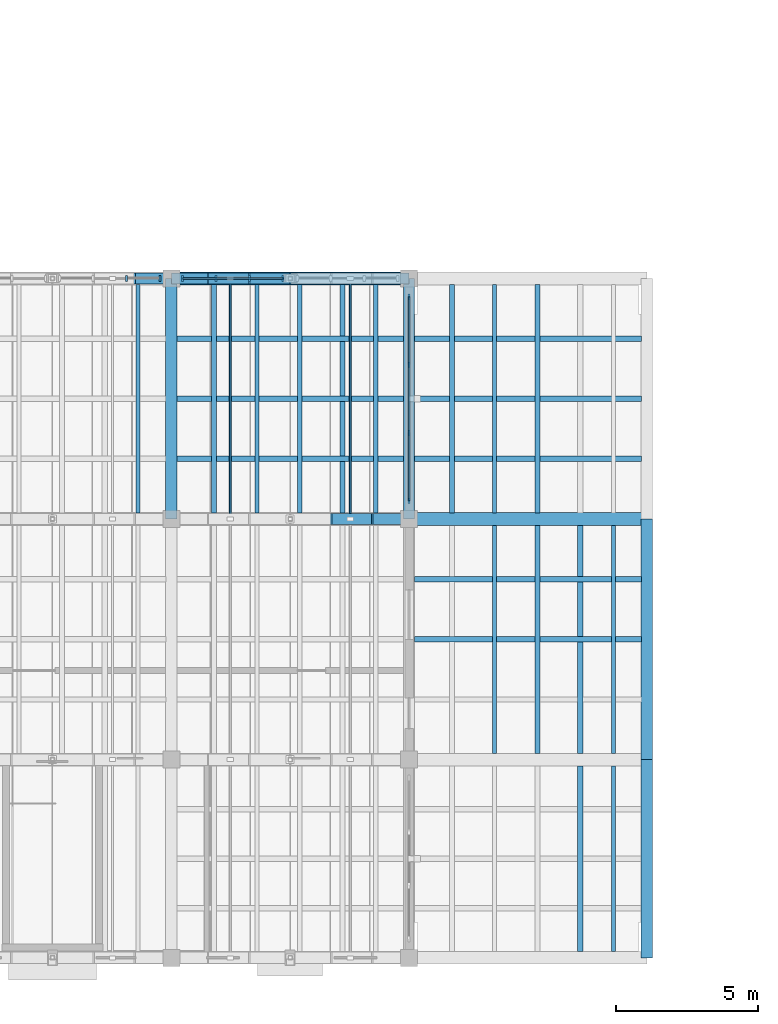
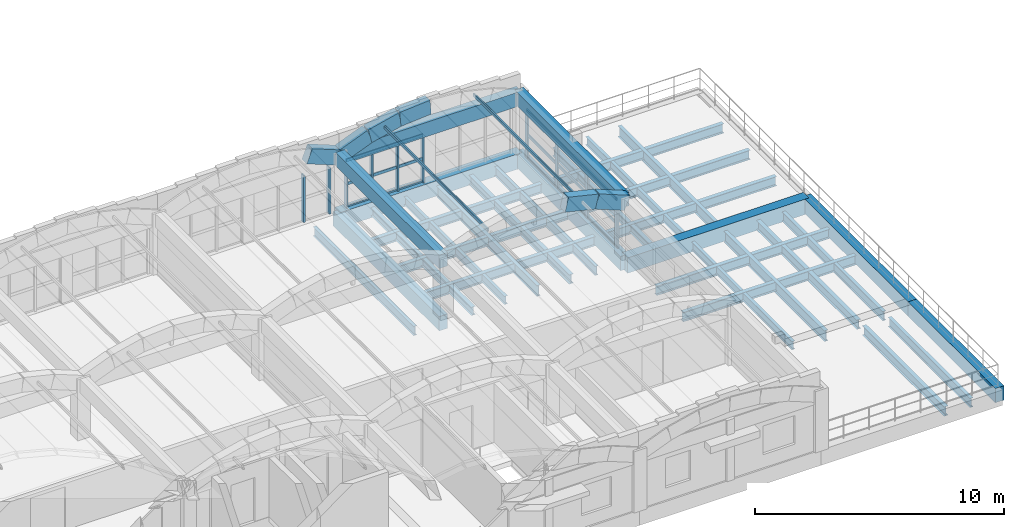
# One storey, part 15 of 40: 32 beams, 24 members, 3 elements without a shape of their own.
"""IFC4 building model written with IfcOpenShell, lengths in metres."""

from ifc_helpers import new_model, si_unit, direction, frame, origin, origin_2d, place, context, subcontext, project, spatial, rectangle, hollow_rectangle, i_section, extrude, material, layer, layer_set, material_profile, profile_set, type_object, element, aggregate, save


model = new_model("IFC4")

# Units and contexts
model_context = context("Model", 3, precision=1e-05, world=origin(), true_north=direction((0.0, 1.0)))
body_context = subcontext(model_context, "Body", "Model", "MODEL_VIEW")
ifc_project = project(units=[si_unit("LENGTHUNIT", "METRE"), si_unit("AREAUNIT", "SQUARE_METRE"), si_unit("VOLUMEUNIT", "CUBIC_METRE"), si_unit("PLANEANGLEUNIT", "RADIAN"), si_unit("MASSUNIT", "GRAM", prefix="KILO")], contexts=[model_context])

# Site, building, storey
site_placement = place(None, origin())
site = spatial("IfcSite", under=ifc_project, at=site_placement, CompositionType="ELEMENT")
building_placement = place(site_placement, origin())
building = spatial("IfcBuilding", under=site, at=building_placement, Name="Trellovar Central Fire Station", CompositionType="ELEMENT")
storey_placement = place(building_placement, frame((0.0, 0.0, 12.75)))
storey = spatial("IfcBuildingStorey", under=building, at=storey_placement, Name="L04", CompositionType="ELEMENT", Elevation=12.75)

# Beams
ifc_material_1 = material(Name="Concrete C40/50", Category="concrete")
ifc_material_profile_1 = material_profile(ifc_material_1, rectangle(XDim=0.449951171875, YDim=0.75, at=origin_2d()), Name="RC450X750")
ifc_profile_set_1 = profile_set([ifc_material_profile_1], Name="Concrete C40/50")
beam_type_1 = type_object("IfcBeamType", Name="BM-G2", PredefinedType="BEAM", material=ifc_profile_set_1)
beam_1_placement = place(storey_placement, frame((139.10009765625, 24.5, -0.375), z_axis=(1.0, 0.0, 0.0), x_axis=(0.0, 1.0, 0.0)))
element("IfcBeam", 1, at=beam_1_placement, inside=storey, type_object=beam_type_1, Name="L04 beam G-2", PredefinedType="BEAM", context=body_context, shape_type="SweptSolid", body=[
    extrude(rectangle(XDim=0.449951171875, YDim=0.75, at=origin_2d()), origin(), (0.0, 0.0, 1.0), 8.39990234375),
])
beam_2_placement = place(storey_placement, frame((130.699951171875, 33.0, -0.375), z_axis=(1.0, 0.0, 0.0), x_axis=(0.0, 1.0, 0.0)))
element("IfcBeam", 2, at=beam_2_placement, inside=storey, type_object=beam_type_1, Name="L04 beam G-2", PredefinedType="BEAM", context=body_context, shape_type="SweptSolid", body=[
    extrude(rectangle(XDim=0.449951171875, YDim=0.75, at=origin_2d()), origin(), (0.0, 0.0, 1.0), 8.400146484375),
])
ifc_material_2 = material(Name="Concrete C40/50", Category="concrete")
ifc_material_profile_2 = material_profile(ifc_material_2, rectangle(XDim=0.39990234375, YDim=0.699951171875, at=origin_2d()), Name="RC400X700")
ifc_profile_set_2 = profile_set([ifc_material_profile_2], Name="Concrete C40/50")
beam_type_2 = type_object("IfcBeamType", Name="BM-G3", PredefinedType="BEAM", material=ifc_profile_set_2)
for number, where, z_axis, x_axis, name in (
    (3, (130.699951171875, 24.5, -0.35009765625), (0.0, 1.0, 0.0), (-1.0, 0.0, 0.0), "L04 beam G-3"),
    (4, (139.10009765625, 24.5, -0.35009765625), (0.0, 1.0, 0.0), (-1.0, 0.0, 0.0), "L04 beam G-3"),
):
    element("IfcBeam", number, at=place(storey_placement, frame(where, z_axis=z_axis, x_axis=x_axis)), inside=storey, type_object=beam_type_2, Name=name, PredefinedType="BEAM", context=body_context, shape_type="SweptSolid", body=[
        extrude(rectangle(XDim=0.39990234375, YDim=0.699951171875, at=origin_2d()), origin(), (0.0, 0.0, 1.0), 8.5),
    ])
beam_3_placement = place(storey_placement, frame((147.5, 9.0, -0.35009765625), z_axis=(0.0, 1.0, 0.0), x_axis=(-1.0, 0.0, 0.0)))
element("IfcBeam", 5, at=beam_3_placement, inside=storey, type_object=beam_type_2, Name="L04 beam G-3", PredefinedType="BEAM", context=body_context, shape_type="SweptSolid", body=[
    extrude(rectangle(XDim=0.39990234375, YDim=0.699951171875, at=origin_2d()), origin(), (0.0, 0.0, 1.0), 7.0),
])
beam_4_placement = place(storey_placement, frame((147.5, 16.0, -0.35009765625), z_axis=(0.0, 1.0, 0.0), x_axis=(-1.0, 0.0, 0.0)))
element("IfcBeam", 6, at=beam_4_placement, inside=storey, type_object=beam_type_2, Name="L04 beam G-3", PredefinedType="BEAM", context=body_context, shape_type="SweptSolid", body=[
    extrude(rectangle(XDim=0.39990234375, YDim=0.699951171875, at=origin_2d()), origin(), (0.0, 0.0, 1.0), 8.5),
])
beam_5_placement = place(storey_placement, frame((130.699951171875, 33.0, 2.64990234375), z_axis=(1.0, 0.0, 0.0), x_axis=(0.0, 1.0, 0.0)))
element("IfcBeam", 7, at=beam_5_placement, inside=storey, type_object=beam_type_2, Name="L04 beam G-3", PredefinedType="BEAM", context=body_context, shape_type="SweptSolid", body=[
    extrude(rectangle(XDim=0.39990234375, YDim=0.699951171875, at=origin_2d()), origin(), (0.0, 0.0, 1.0), 8.400146484375),
])
ifc_material_3 = material(Name="Concrete C40/50", Category="concrete")
ifc_material_profile_3 = material_profile(ifc_material_3, rectangle(XDim=0.39990234375, YDim=0.64990234375, at=origin_2d()), Name="RC400X650")
ifc_profile_set_3 = profile_set([ifc_material_profile_3], Name="Concrete C40/50")
beam_type_3 = type_object("IfcBeamType", Name="BM-G4", PredefinedType="BEAM", material=ifc_profile_set_3)
for number, where, z_axis, x_axis, name in (
    (8, (130.699951171875, 24.5, 2.675048828125), (0.0, 1.0, 0.0), (-1.0, 0.0, 0.0), "L04 beam G-4"),
    (9, (139.10009765625, 24.5, 2.675048828125), (0.0, 1.0, 0.0), (-1.0, 0.0, 0.0), "L04 beam G-4"),
):
    element("IfcBeam", number, at=place(storey_placement, frame(where, z_axis=z_axis, x_axis=x_axis)), inside=storey, type_object=beam_type_3, Name=name, PredefinedType="BEAM", context=body_context, shape_type="SweptSolid", body=[
        extrude(rectangle(XDim=0.39990234375, YDim=0.64990234375, at=origin_2d()), origin(), (0.0, 0.0, 1.0), 8.5),
    ])
ifc_material_4 = material(Name="Steel ASTM A992 Grade 50", Category="steel")
ifc_material_profile_4 = material_profile(ifc_material_4, i_section(OverallWidth=0.15283203125, OverallDepth=0.45458984375, WebThickness=0.008056640625, FlangeThickness=0.01318359375, FilletRadius=0.0126953125, at=origin_2d()), Name="W18X40")
ifc_profile_set_4 = profile_set([ifc_material_profile_4], Name="Steel ASTM A992 Grade 50")
beam_type_4 = type_object("IfcBeamType", Name="BM-SW10", PredefinedType="JOIST", material=ifc_profile_set_4)
for number, where, z_axis, x_axis, name in (
    (10, (129.52392578125, 24.719970703125, -0.477294921875), (0.0, 1.0, 0.0), (-1.0, 0.0, 0.0), "L04 secondary steel deck joist"),
    (11, (137.924072265625, 24.719970703125, -0.477294921875), (0.0, 1.0, 0.0), (-1.0, 0.0, 0.0), "L04 secondary steel deck joist"),
):
    element("IfcBeam", number, at=place(storey_placement, frame(where, z_axis=z_axis, x_axis=x_axis)), inside=storey, type_object=beam_type_4, Name=name, PredefinedType="JOIST", context=body_context, shape_type="SweptSolid", body=[
        extrude(i_section(OverallWidth=0.15283203125, OverallDepth=0.45458984375, WebThickness=0.008056640625, FlangeThickness=0.01318359375, FilletRadius=0.0126953125, at=origin_2d()), origin(), (0.0, 0.0, 1.0), 8.06005859375),
    ])
beam_6_placement = place(storey_placement, frame((146.323974609375, 9.219970703125, -0.477294921875), z_axis=(0.0, 1.0, 0.0), x_axis=(-1.0, 0.0, 0.0)))
element("IfcBeam", 12, at=beam_6_placement, inside=storey, type_object=beam_type_4, Name="L04 secondary steel deck joist", PredefinedType="JOIST", context=body_context, shape_type="SweptSolid", body=[
    extrude(i_section(OverallWidth=0.15283203125, OverallDepth=0.45458984375, WebThickness=0.008056640625, FlangeThickness=0.01318359375, FilletRadius=0.0126953125, at=origin_2d()), origin(), (0.0, 0.0, 1.0), 6.56005859375),
])
beam_7_placement = place(storey_placement, frame((146.323974609375, 16.219970703125, -0.477294921875), z_axis=(0.0, 1.0, 0.0), x_axis=(-1.0, 0.0, 0.0)))
element("IfcBeam", 13, at=beam_7_placement, inside=storey, type_object=beam_type_4, Name="L04 secondary steel deck joist", PredefinedType="JOIST", context=body_context, shape_type="SweptSolid", body=[
    extrude(i_section(OverallWidth=0.15283203125, OverallDepth=0.45458984375, WebThickness=0.008056640625, FlangeThickness=0.01318359375, FilletRadius=0.0126953125, at=origin_2d()), origin(), (0.0, 0.0, 1.0), 8.06005859375),
])
ifc_material_5 = material(Name="Steel ASTM A992 Grade 50", Category="steel")
ifc_material_profile_5 = material_profile(ifc_material_5, i_section(OverallWidth=0.177490234375, OverallDepth=0.40380859375, WebThickness=0.007568359375, FlangeThickness=0.010986328125, FilletRadius=0.011474609375, at=origin_2d()), Name="W16X36")
ifc_profile_set_5 = profile_set([ifc_material_profile_5], Name="Steel ASTM A992 Grade 50")
beam_type_5 = type_object("IfcBeamType", Name="BM-SW11", PredefinedType="JOIST", material=ifc_profile_set_5)
for number, where, z_axis, x_axis, name in (
    (14, (132.2119140625, 24.719970703125, -0.451904296875), (0.0, 1.0, 0.0), (-1.0, 0.0, 0.0), "L04 secondary steel deck joist"),
    (15, (140.612060546875, 24.719970703125, -0.451904296875), (0.0, 1.0, 0.0), (-1.0, 0.0, 0.0), "L04 secondary steel deck joist"),
):
    element("IfcBeam", number, at=place(storey_placement, frame(where, z_axis=z_axis, x_axis=x_axis)), inside=storey, type_object=beam_type_5, Name=name, PredefinedType="JOIST", context=body_context, shape_type="SweptSolid", body=[
        extrude(i_section(OverallWidth=0.177490234375, OverallDepth=0.40380859375, WebThickness=0.007568359375, FlangeThickness=0.010986328125, FilletRadius=0.011474609375, at=origin_2d()), origin(), (0.0, 0.0, 1.0), 8.06005859375),
    ])
ifc_material_6 = material(Name="Steel ASTM A992 Grade 50", Category="steel")
ifc_material_profile_6 = material_profile(ifc_material_6, i_section(OverallWidth=0.140380859375, OverallDepth=0.4033203125, WebThickness=0.007080078125, FlangeThickness=0.01123046875, FilletRadius=0.011474609375, at=origin_2d()), Name="W16X31")
ifc_profile_set_6 = profile_set([ifc_material_profile_6], Name="Steel ASTM A992 Grade 50")
beam_type_6 = type_object("IfcBeamType", Name="BM-SW12", PredefinedType="JOIST", material=ifc_profile_set_6)
for number, where, z_axis, x_axis, name in (
    (16, (133.72412109375, 24.719970703125, -0.45166015625), (0.0, 1.0, 0.0), (-1.0, 0.0, 0.0), "L04 secondary steel deck joist"),
    (17, (142.1240234375, 16.219970703125, -0.45166015625), (0.0, 1.0, 0.0), (-1.0, 0.0, 0.0), "L04 secondary steel deck joist"),
    (18, (142.1240234375, 24.719970703125, -0.45166015625), (0.0, 1.0, 0.0), (-1.0, 0.0, 0.0), "L04 secondary steel deck joist"),
):
    element("IfcBeam", number, at=place(storey_placement, frame(where, z_axis=z_axis, x_axis=x_axis)), inside=storey, type_object=beam_type_6, Name=name, PredefinedType="JOIST", context=body_context, shape_type="SweptSolid", body=[
        extrude(i_section(OverallWidth=0.140380859375, OverallDepth=0.4033203125, WebThickness=0.007080078125, FlangeThickness=0.01123046875, FilletRadius=0.011474609375, at=origin_2d()), origin(), (0.0, 0.0, 1.0), 8.06005859375),
    ])
ifc_material_7 = material(Name="Steel ASTM A992 Grade 50", Category="steel")
ifc_material_profile_7 = material_profile(ifc_material_7, i_section(OverallWidth=0.166015625, OverallDepth=0.529052734375, WebThickness=0.009765625, FlangeThickness=0.013671875, FilletRadius=0.013916015625, at=origin_2d()), Name="W21X50")
ifc_profile_set_7 = profile_set([ifc_material_profile_7], Name="Steel ASTM A992 Grade 50")
beam_type_7 = type_object("IfcBeamType", Name="BM-SW8", PredefinedType="JOIST", material=ifc_profile_set_7)
for number, where, z_axis, x_axis, name in (
    (19, (135.236083984375, 24.719970703125, -0.514404296875), (0.0, 1.0, 0.0), (-1.0, 0.0, 0.0), "L04 secondary steel deck joist"),
    (20, (143.635986328125, 16.219970703125, -0.514404296875), (0.0, 1.0, 0.0), (-1.0, 0.0, 0.0), "L04 secondary steel deck joist"),
    (21, (143.635986328125, 24.719970703125, -0.514404296875), (0.0, 1.0, 0.0), (-1.0, 0.0, 0.0), "L04 secondary steel deck joist"),
):
    element("IfcBeam", number, at=place(storey_placement, frame(where, z_axis=z_axis, x_axis=x_axis)), inside=storey, type_object=beam_type_7, Name=name, PredefinedType="JOIST", context=body_context, shape_type="SweptSolid", body=[
        extrude(i_section(OverallWidth=0.166015625, OverallDepth=0.529052734375, WebThickness=0.009765625, FlangeThickness=0.013671875, FilletRadius=0.013916015625, at=origin_2d()), origin(), (0.0, 0.0, 1.0), 8.06005859375),
    ])
ifc_material_8 = material(Name="Steel ASTM A992 Grade 50", Category="steel")
ifc_material_profile_8 = material_profile(ifc_material_8, i_section(OverallWidth=0.1904296875, OverallDepth=0.457275390625, WebThickness=0.009033203125, FlangeThickness=0.014404296875, FilletRadius=0.0126953125, at=origin_2d()), Name="W18X50")
ifc_profile_set_8 = profile_set([ifc_material_profile_8], Name="Steel ASTM A992 Grade 50")
beam_type_8 = type_object("IfcBeamType", Name="BM-SW9", PredefinedType="JOIST", material=ifc_profile_set_8)
for number, where, z_axis, x_axis, name in (
    (22, (130.89501953125, 26.625, -0.478515625), (1.0, 0.0, 0.0), (0.0, 1.0, 0.0), "L04 beam SB-9"),
    (23, (130.89501953125, 28.75, -0.478515625), (1.0, 0.0, 0.0), (0.0, 1.0, 0.0), "L04 beam SB-9"),
    (24, (130.89501953125, 30.875, -0.478515625), (1.0, 0.0, 0.0), (0.0, 1.0, 0.0), "L04 beam SB-9"),
    (25, (139.294921875, 20.25, -0.478515625), (1.0, 0.0, 0.0), (0.0, 1.0, 0.0), "L04 beam SB-9"),
    (26, (139.294921875, 22.375, -0.478515625), (1.0, 0.0, 0.0), (0.0, 1.0, 0.0), "L04 beam SB-9"),
    (27, (139.294921875, 26.625, -0.478515625), (1.0, 0.0, 0.0), (0.0, 1.0, 0.0), "L04 beam SB-9"),
    (28, (139.294921875, 28.75, -0.478515625), (1.0, 0.0, 0.0), (0.0, 1.0, 0.0), "L04 beam SB-9"),
    (29, (139.294921875, 30.875, -0.478515625), (1.0, 0.0, 0.0), (0.0, 1.0, 0.0), "L04 beam SB-9"),
):
    element("IfcBeam", number, at=place(storey_placement, frame(where, z_axis=z_axis, x_axis=x_axis)), inside=storey, type_object=beam_type_8, Name=name, PredefinedType="JOIST", context=body_context, shape_type="SweptSolid", body=[
        extrude(i_section(OverallWidth=0.1904296875, OverallDepth=0.457275390625, WebThickness=0.009033203125, FlangeThickness=0.014404296875, FilletRadius=0.0126953125, at=origin_2d()), origin(), (0.0, 0.0, 1.0), 8.010009765625),
    ])
beam_8_placement = place(storey_placement, frame((136.748046875, 24.719970703125, -0.478515625), z_axis=(0.0, 1.0, 0.0), x_axis=(-1.0, 0.0, 0.0)))
element("IfcBeam", 30, at=beam_8_placement, inside=storey, type_object=beam_type_8, Name="L04 secondary steel deck joist", PredefinedType="JOIST", context=body_context, shape_type="SweptSolid", body=[
    extrude(i_section(OverallWidth=0.1904296875, OverallDepth=0.457275390625, WebThickness=0.009033203125, FlangeThickness=0.014404296875, FilletRadius=0.0126953125, at=origin_2d()), origin(), (0.0, 0.0, 1.0), 8.06005859375),
])
beam_9_placement = place(storey_placement, frame((145.14794921875, 9.219970703125, -0.478515625), z_axis=(0.0, 1.0, 0.0), x_axis=(-1.0, 0.0, 0.0)))
element("IfcBeam", 31, at=beam_9_placement, inside=storey, type_object=beam_type_8, Name="L04 secondary steel deck joist", PredefinedType="JOIST", context=body_context, shape_type="SweptSolid", body=[
    extrude(i_section(OverallWidth=0.1904296875, OverallDepth=0.457275390625, WebThickness=0.009033203125, FlangeThickness=0.014404296875, FilletRadius=0.0126953125, at=origin_2d()), origin(), (0.0, 0.0, 1.0), 6.56005859375),
])
beam_10_placement = place(storey_placement, frame((145.14794921875, 16.219970703125, -0.478515625), z_axis=(0.0, 1.0, 0.0), x_axis=(-1.0, 0.0, 0.0)))
element("IfcBeam", 32, at=beam_10_placement, inside=storey, type_object=beam_type_8, Name="L04 secondary steel deck joist", PredefinedType="JOIST", context=body_context, shape_type="SweptSolid", body=[
    extrude(i_section(OverallWidth=0.1904296875, OverallDepth=0.457275390625, WebThickness=0.009033203125, FlangeThickness=0.014404296875, FilletRadius=0.0126953125, at=origin_2d()), origin(), (0.0, 0.0, 1.0), 8.06005859375),
])

# Curtain wall, members
ifc_material_9 = material(Name="Thermally broken bronze anodized aluminum", Category="aluminium")
ifc_layer_1 = layer(ifc_material_9, 0.159912109375)
ifc_layer_set_1 = layer_set([ifc_layer_1], Name="Thermally broken bronze anodized aluminum")
curtain_wall_type_1 = type_object("IfcCurtainWallType", Name="CW-09", PredefinedType="NOTDEFINED", material=ifc_layer_set_1)
curtain_wall_1_placement = place(storey_placement, origin())
curtain_wall_1 = element("IfcCurtainWall", 33, at=curtain_wall_1_placement, inside=storey, type_object=curtain_wall_type_1, Name="L04 curtain wall CW-9", PredefinedType="NOTDEFINED")
ifc_material_10 = material(Name="Thermally broken bronze anodized aluminum", Category="aluminium")
ifc_material_profile_9 = material_profile(ifc_material_10, rectangle(XDim=0.074951171875, YDim=0.199951171875, at=origin_2d()), Name="ALU75X200")
ifc_profile_set_9 = profile_set([ifc_material_profile_9], Name="Thermally broken bronze anodized aluminum")
member_type_1 = type_object("IfcMemberType", Name="CWM-1", PredefinedType="MULLION", material=ifc_profile_set_9)
member_1_placement = place(storey_placement, frame((130.300048828125, 33.0, 0.0), z_axis=(0.0, 0.0, 1.0), x_axis=(1.0, 0.0, 0.0)))
member_1 = element("IfcMember", 34, at=member_1_placement, type_object=member_type_1, Name="CW3-L04-0095 mullion 1", PredefinedType="MULLION", context=body_context, shape_type="SweptSolid", body=[
    extrude(rectangle(XDim=0.074951171875, YDim=0.199951171875, at=origin_2d()), origin(), (0.0, 0.0, 1.0), 2.2900390625),
])
member_2_placement = place(storey_placement, frame((129.11669921875, 33.0, 0.0), z_axis=(0.0, 0.0, 1.0), x_axis=(1.0, 0.0, 0.0)))
member_2 = element("IfcMember", 35, at=member_2_placement, type_object=member_type_1, Name="CW3-L04-0095 mullion 2", PredefinedType="MULLION", context=body_context, shape_type="SweptSolid", body=[
    extrude(rectangle(XDim=0.074951171875, YDim=0.199951171875, at=origin_2d()), origin(), (0.0, 0.0, 1.0), 2.2900390625),
])
aggregate(curtain_wall_1, [member_1, member_2])

ifc_material_11 = material(Name="Thermally broken bronze anodized aluminum", Category="aluminium")
ifc_layer_2 = layer(ifc_material_11, 0.159912109375)
ifc_layer_set_2 = layer_set([ifc_layer_2], Name="Thermally broken bronze anodized aluminum")
curtain_wall_type_2 = type_object("IfcCurtainWallType", Name="CW-10", PredefinedType="NOTDEFINED", material=ifc_layer_set_2)
curtain_wall_2_placement = place(storey_placement, origin())
curtain_wall_2 = element("IfcCurtainWall", 36, at=curtain_wall_2_placement, inside=storey, type_object=curtain_wall_type_2, Name="L04 curtain wall CW-10", PredefinedType="NOTDEFINED")
member_3_placement = place(storey_placement, frame((134.64990234375, 33.0, 0.0), z_axis=(0.0, 0.0, 1.0), x_axis=(1.0, 0.0, 0.0)))
member_3 = element("IfcMember", 37, at=member_3_placement, type_object=member_type_1, Name="CW3-L04-0098 mullion 1", PredefinedType="MULLION", context=body_context, shape_type="SweptSolid", body=[
    extrude(rectangle(XDim=0.074951171875, YDim=0.199951171875, at=origin_2d()), origin(), (0.0, 0.0, 1.0), 2.2900390625),
])
member_4_placement = place(storey_placement, frame((133.466796875, 33.0, 0.0), z_axis=(0.0, 0.0, 1.0), x_axis=(1.0, 0.0, 0.0)))
member_4 = element("IfcMember", 38, at=member_4_placement, type_object=member_type_1, Name="CW3-L04-0098 mullion 2", PredefinedType="MULLION", context=body_context, shape_type="SweptSolid", body=[
    extrude(rectangle(XDim=0.074951171875, YDim=0.199951171875, at=origin_2d()), origin(), (0.0, 0.0, 1.0), 2.2900390625),
])
member_5_placement = place(storey_placement, frame((132.283203125, 33.0, 0.0), z_axis=(0.0, 0.0, 1.0), x_axis=(1.0, 0.0, 0.0)))
member_5 = element("IfcMember", 39, at=member_5_placement, type_object=member_type_1, Name="CW3-L04-0098 mullion 3", PredefinedType="MULLION", context=body_context, shape_type="SweptSolid", body=[
    extrude(rectangle(XDim=0.074951171875, YDim=0.199951171875, at=origin_2d()), origin(), (0.0, 0.0, 1.0), 2.2900390625),
])
member_6_placement = place(storey_placement, frame((131.10009765625, 33.0, 0.0), z_axis=(0.0, 0.0, 1.0), x_axis=(1.0, 0.0, 0.0)))
member_6 = element("IfcMember", 40, at=member_6_placement, type_object=member_type_1, Name="CW3-L04-0098 mullion 4", PredefinedType="MULLION", context=body_context, shape_type="SweptSolid", body=[
    extrude(rectangle(XDim=0.074951171875, YDim=0.199951171875, at=origin_2d()), origin(), (0.0, 0.0, 1.0), 2.2900390625),
])

ifc_material_12 = material(Name="Thermally broken bronze anodized aluminum", Category="aluminium")
ifc_layer_3 = layer(ifc_material_12, 0.159912109375)
ifc_layer_set_3 = layer_set([ifc_layer_3], Name="Thermally broken bronze anodized aluminum")
curtain_wall_type_3 = type_object("IfcCurtainWallType", Name="CW-01", PredefinedType="NOTDEFINED", material=ifc_layer_set_3)
curtain_wall_3_placement = place(storey_placement, origin())
curtain_wall_3 = element("IfcCurtainWall", 41, at=curtain_wall_3_placement, inside=storey, type_object=curtain_wall_type_3, Name="L04 curtain wall CW-1", PredefinedType="NOTDEFINED")
member_7_placement = place(storey_placement, frame((139.10009765625, 25.14990234375, 0.0), z_axis=(0.0, 0.0, 1.0), x_axis=(1.0, 0.0, 0.0)))
member_7 = element("IfcMember", 42, at=member_7_placement, type_object=member_type_1, Name="CW3-L04-0103 mullion 1", PredefinedType="MULLION", context=body_context, shape_type="SweptSolid", body=[
    extrude(rectangle(XDim=0.074951171875, YDim=0.199951171875, at=origin_2d()), origin(), (0.0, 0.0, 1.0), 2.340087890625),
])
member_8_placement = place(storey_placement, frame((139.10009765625, 27.550048828125, 0.0), z_axis=(0.0, 0.0, 1.0), x_axis=(1.0, 0.0, 0.0)))
member_8 = element("IfcMember", 43, at=member_8_placement, type_object=member_type_1, Name="CW3-L04-0103 mullion 2", PredefinedType="MULLION", context=body_context, shape_type="SweptSolid", body=[
    extrude(rectangle(XDim=0.074951171875, YDim=0.199951171875, at=origin_2d()), origin(), (0.0, 0.0, 1.0), 2.340087890625),
])
member_9_placement = place(storey_placement, frame((139.10009765625, 29.949951171875, 0.0), z_axis=(0.0, 0.0, 1.0), x_axis=(1.0, 0.0, 0.0)))
member_9 = element("IfcMember", 44, at=member_9_placement, type_object=member_type_1, Name="CW3-L04-0103 mullion 3", PredefinedType="MULLION", context=body_context, shape_type="SweptSolid", body=[
    extrude(rectangle(XDim=0.074951171875, YDim=0.199951171875, at=origin_2d()), origin(), (0.0, 0.0, 1.0), 2.340087890625),
])
member_10_placement = place(storey_placement, frame((139.10009765625, 32.35009765625, 0.0), z_axis=(0.0, 0.0, 1.0), x_axis=(1.0, 0.0, 0.0)))
member_10 = element("IfcMember", 45, at=member_10_placement, type_object=member_type_1, Name="CW3-L04-0103 mullion 4", PredefinedType="MULLION", context=body_context, shape_type="SweptSolid", body=[
    extrude(rectangle(XDim=0.074951171875, YDim=0.199951171875, at=origin_2d()), origin(), (0.0, 0.0, 1.0), 2.340087890625),
])

# Member
ifc_material_13 = material(Name="Thermally broken bronze anodized aluminum", Category="aluminium")
ifc_material_profile_10 = material_profile(ifc_material_13, rectangle(XDim=0.06005859375, YDim=0.139892578125, at=origin_2d()), Name="ALU60X140")
ifc_profile_set_10 = profile_set([ifc_material_profile_10], Name="Thermally broken bronze anodized aluminum")
member_type_2 = type_object("IfcMemberType", Name="CWT-1", PredefinedType="USERDEFINED", material=ifc_profile_set_10)
member_11_placement = place(storey_placement, frame((134.64990234375, 33.0, 0.0), z_axis=(-1.0, 0.0, 0.0), x_axis=(0.0, -1.0, 0.0)))
member_11 = element("IfcMember", 46, at=member_11_placement, type_object=member_type_2, Name="CW3-L04-0098 transom 1", ObjectType="TRANSOM", PredefinedType="USERDEFINED", context=body_context, shape_type="SweptSolid", body=[
    extrude(rectangle(XDim=0.06005859375, YDim=0.139892578125, at=origin_2d()), origin(), (0.0, 0.0, 1.0), 3.5498046875),
])

member_12_placement = place(storey_placement, frame((134.64990234375, 33.0, 1.14501953125), z_axis=(-1.0, 0.0, 0.0), x_axis=(0.0, -1.0, 0.0)))
member_12 = element("IfcMember", 47, at=member_12_placement, type_object=member_type_2, Name="CW3-L04-0098 transom 2", ObjectType="TRANSOM", PredefinedType="USERDEFINED", context=body_context, shape_type="SweptSolid", body=[
    extrude(rectangle(XDim=0.06005859375, YDim=0.139892578125, at=origin_2d()), origin(), (0.0, 0.0, 1.0), 3.5498046875),
])

member_13_placement = place(storey_placement, frame((134.64990234375, 33.0, 2.2900390625), z_axis=(-1.0, 0.0, 0.0), x_axis=(0.0, -1.0, 0.0)))
member_13 = element("IfcMember", 48, at=member_13_placement, type_object=member_type_2, Name="CW3-L04-0098 transom 3", ObjectType="TRANSOM", PredefinedType="USERDEFINED", context=body_context, shape_type="SweptSolid", body=[
    extrude(rectangle(XDim=0.06005859375, YDim=0.139892578125, at=origin_2d()), origin(), (0.0, 0.0, 1.0), 3.5498046875),
])

aggregate(curtain_wall_2, [member_3, member_4, member_5, member_6, member_11, member_12, member_13])

member_14_placement = place(storey_placement, frame((139.10009765625, 25.14990234375, 0.0), z_axis=(0.0, 1.0, 0.0), x_axis=(-1.0, 0.0, 0.0)))
member_14 = element("IfcMember", 49, at=member_14_placement, type_object=member_type_2, Name="CW3-L04-0103 transom 1", ObjectType="TRANSOM", PredefinedType="USERDEFINED", context=body_context, shape_type="SweptSolid", body=[
    extrude(rectangle(XDim=0.06005859375, YDim=0.139892578125, at=origin_2d()), origin(), (0.0, 0.0, 1.0), 7.2001953125),
])

member_15_placement = place(storey_placement, frame((139.10009765625, 25.14990234375, 1.169921875), z_axis=(0.0, 1.0, 0.0), x_axis=(-1.0, 0.0, 0.0)))
member_15 = element("IfcMember", 50, at=member_15_placement, type_object=member_type_2, Name="CW3-L04-0103 transom 2", ObjectType="TRANSOM", PredefinedType="USERDEFINED", context=body_context, shape_type="SweptSolid", body=[
    extrude(rectangle(XDim=0.06005859375, YDim=0.139892578125, at=origin_2d()), origin(), (0.0, 0.0, 1.0), 7.2001953125),
])

member_16_placement = place(storey_placement, frame((139.10009765625, 25.14990234375, 2.340087890625), z_axis=(0.0, 1.0, 0.0), x_axis=(-1.0, 0.0, 0.0)))
member_16 = element("IfcMember", 51, at=member_16_placement, type_object=member_type_2, Name="CW3-L04-0103 transom 3", ObjectType="TRANSOM", PredefinedType="USERDEFINED", context=body_context, shape_type="SweptSolid", body=[
    extrude(rectangle(XDim=0.06005859375, YDim=0.139892578125, at=origin_2d()), origin(), (0.0, 0.0, 1.0), 7.2001953125),
])

aggregate(curtain_wall_3, [member_7, member_8, member_9, member_10, member_14, member_15, member_16])

# Members
ifc_material_14 = material(Name="Concrete C40/50", Category="concrete")
ifc_material_profile_11 = material_profile(ifc_material_14, rectangle(XDim=0.39990234375, YDim=0.699951171875, at=origin_2d()), Name="RC400X700")
ifc_profile_set_11 = profile_set([ifc_material_profile_11], Name="Concrete C40/50")
member_type_3 = type_object("IfcMemberType", Name="MEM-LR1", PredefinedType="CHORD", material=ifc_profile_set_11)
member_17_placement = place(storey_placement, frame((129.300048828125, 33.0, 3.235595703125), z_axis=(0.929457187308, 0.0, -0.368929989242), x_axis=(0.0, 1.0, 0.0)))
element("IfcMember", 52, at=member_17_placement, inside=storey, type_object=member_type_3, Name="V5 Catalan vault rib 3 chord 6", PredefinedType="CHORD", context=body_context, shape_type="SweptSolid", body=[
    extrude(rectangle(XDim=0.39990234375, YDim=0.699951171875, at=origin_2d()), origin(), (0.0, 0.0, 1.0), 1.506103515625),
])
member_18_placement = place(storey_placement, frame((136.300048828125, 24.5, 3.56884765625), z_axis=(0.972815315724, 0.0, -0.23158229961), x_axis=(0.0, 1.0, 0.0)))
element("IfcMember", 53, at=member_18_placement, inside=storey, type_object=member_type_3, Name="V5 Catalan vault rib 4 chord 5", PredefinedType="CHORD", context=body_context, shape_type="SweptSolid", body=[
    extrude(rectangle(XDim=0.39990234375, YDim=0.699951171875, at=origin_2d()), origin(), (0.0, 0.0, 1.0), 1.43896484375),
])
for number, where, z_axis, x_axis, name in (
    (54, (137.699951171875, 24.5, 3.235595703125), (0.929479245072, 0.0, -0.368874413563), (0.0, 1.0, 0.0), "V5 Catalan vault rib 4 chord 6"),
    (55, (130.699951171875, 33.0, 2.679931640625), (0.929479245072, 0.0, 0.368874413563), (0.0, 1.0, 0.0), "V5 Catalan vault rib 4 chord 1"),
):
    element("IfcMember", number, at=place(storey_placement, frame(where, z_axis=z_axis, x_axis=x_axis)), inside=storey, type_object=member_type_3, Name=name, PredefinedType="CHORD", context=body_context, shape_type="SweptSolid", body=[
        extrude(rectangle(XDim=0.39990234375, YDim=0.699951171875, at=origin_2d()), origin(), (0.0, 0.0, 1.0), 1.50634765625),
    ])
member_19_placement = place(storey_placement, frame((132.10009765625, 33.0, 3.235595703125), z_axis=(0.972815315724, 0.0, 0.23158229961), x_axis=(0.0, 1.0, 0.0)))
element("IfcMember", 56, at=member_19_placement, inside=storey, type_object=member_type_3, Name="V5 Catalan vault rib 4 chord 2", PredefinedType="CHORD", context=body_context, shape_type="SweptSolid", body=[
    extrude(rectangle(XDim=0.39990234375, YDim=0.699951171875, at=origin_2d()), origin(), (0.0, 0.0, 1.0), 1.43896484375),
])
member_20_placement = place(storey_placement, frame((133.5, 33.0, 3.56884765625), z_axis=(0.996866480688, 0.0, 0.079102589591), x_axis=(0.0, 1.0, 0.0)))
element("IfcMember", 57, at=member_20_placement, inside=storey, type_object=member_type_3, Name="V5 Catalan vault rib 4 chord 3", PredefinedType="CHORD", context=body_context, shape_type="SweptSolid", body=[
    extrude(rectangle(XDim=0.39990234375, YDim=0.699951171875, at=origin_2d()), origin(), (0.0, 0.0, 1.0), 1.404296875),
])
ifc_material_15 = material(Name="Steel ASTM A500 Grade C", Category="steel")
ifc_material_profile_12 = material_profile(ifc_material_15, hollow_rectangle(XDim=0.076171875, YDim=0.15234375, WallThickness=0.005859375, InnerFilletRadius=0.005859375, OuterFilletRadius=0.01171875, at=origin_2d()), Name="HSS6X3X1/4")
ifc_profile_set_12 = profile_set([ifc_material_profile_12], Name="Steel ASTM A500 Grade C")
member_type_4 = type_object("IfcMemberType", Name="MEM-PU2", PredefinedType="PURLIN", material=ifc_profile_set_12)
for number, where, z_axis, x_axis, name in (
    (58, (132.7802734375, 24.5, 3.4375), (0.0, 1.0, 0.0), (-1.0, 0.0, 0.0), "V5 vault purlin 4-2"),
    (59, (137.019775390625, 24.5, 3.4375), (0.0, 1.0, 0.0), (-1.0, 0.0, 0.0), "V5 vault purlin 4-5"),
):
    element("IfcMember", number, at=place(storey_placement, frame(where, z_axis=z_axis, x_axis=x_axis)), inside=storey, type_object=member_type_4, Name=name, PredefinedType="PURLIN", context=body_context, shape_type="SweptSolid", body=[
        extrude(hollow_rectangle(XDim=0.076171875, YDim=0.15234375, WallThickness=0.005859375, InnerFilletRadius=0.005859375, OuterFilletRadius=0.01171875, at=origin_2d()), origin(), (0.0, 0.0, 1.0), 8.5),
    ])

save(model, "model.ifc")
